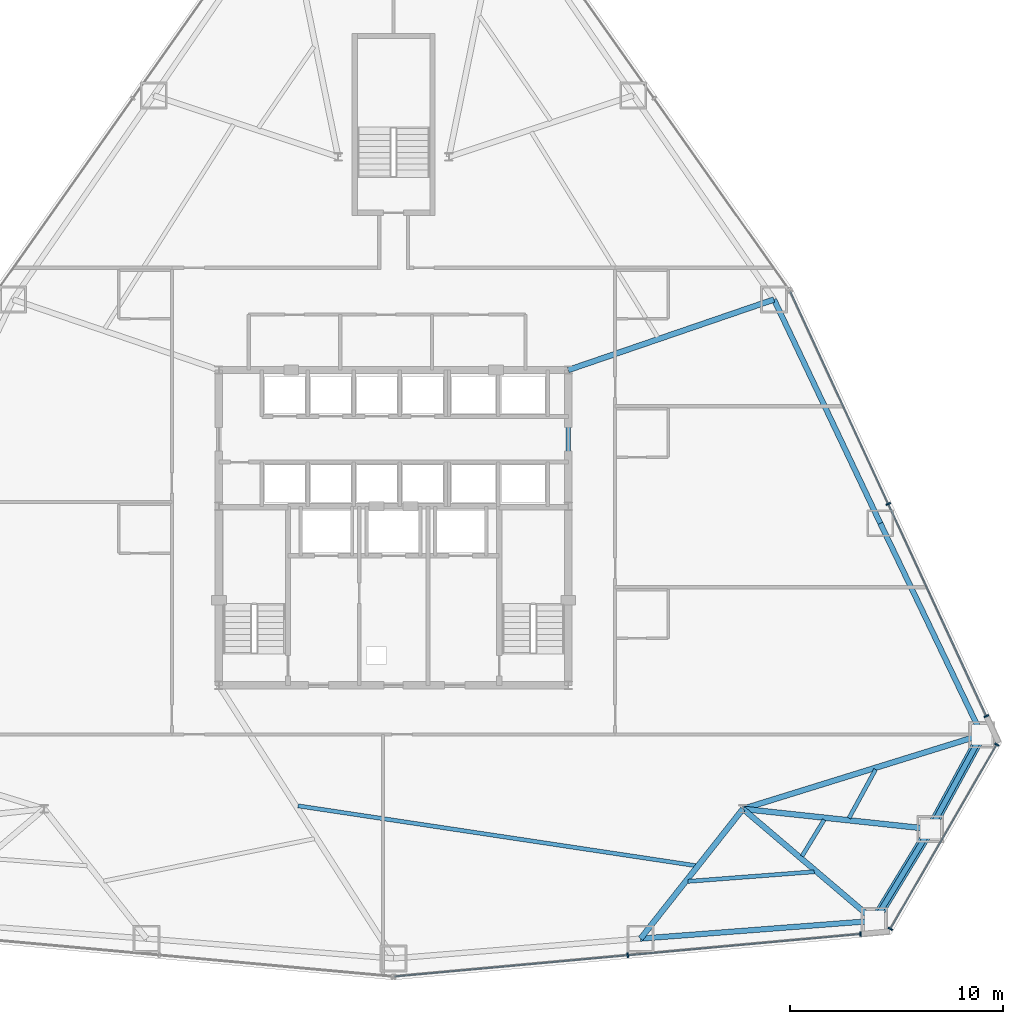
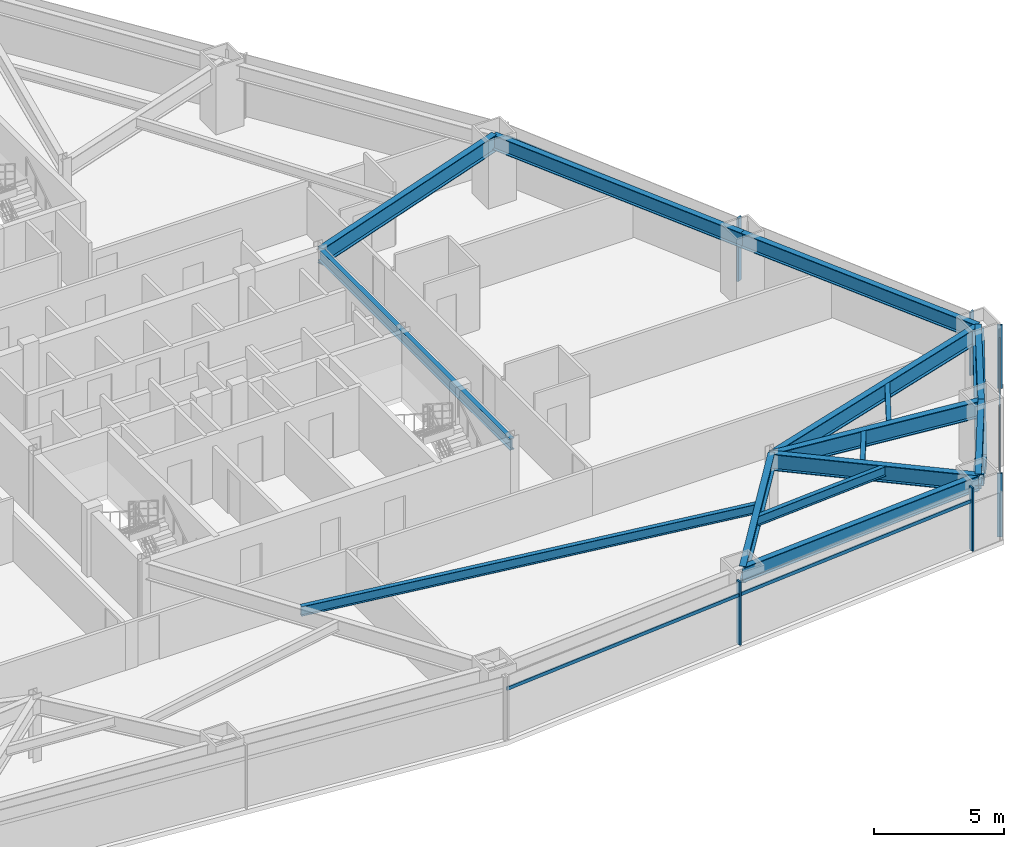
# One storey, part 6 of 12: 15 beams, 11 members, 3 elements without a shape of their own.
"""IFC4 building model written with IfcOpenShell, lengths in metres."""

from ifc_helpers import new_model, si_unit, direction, frame, origin, origin_2d, place, context, subcontext, project, spatial, rectangle, hollow_rectangle, i_section, extrude, source, transform, mapped, material, layer, layer_set, material_profile, profile_set, type_object, type_shapes, element, aggregate, save


model = new_model("IFC4")

# Units and contexts
model_context = context("Model", 3, precision=1e-05, world=origin(), true_north=direction((0.0, 1.0)))
body_context = subcontext(model_context, "Body", "Model", "MODEL_VIEW")
ifc_project = project(units=[si_unit("LENGTHUNIT", "METRE"), si_unit("AREAUNIT", "SQUARE_METRE"), si_unit("VOLUMEUNIT", "CUBIC_METRE"), si_unit("PLANEANGLEUNIT", "RADIAN"), si_unit("MASSUNIT", "GRAM", prefix="KILO")], contexts=[model_context])

# Site, building, storey
site_placement = place(None, origin())
site = spatial("IfcSite", under=ifc_project, at=site_placement, CompositionType="ELEMENT")
building_placement = place(site_placement, origin())
building = spatial("IfcBuilding", under=site, at=building_placement, Name="Varakhsha Concourse Tower", CompositionType="ELEMENT")
storey_placement = place(building_placement, frame((0.0, 0.0, 43.199951171875)))
storey = spatial("IfcBuildingStorey", under=building, at=storey_placement, Name="L11", CompositionType="ELEMENT", Elevation=43.199951171875)

# Beams
ifc_material_1 = material(Name="Structural Steel ASTM A992 Grade 50", Category="steel")
ifc_material_profile_1 = material_profile(ifc_material_1, i_section(OverallWidth=0.26611328125, OverallDepth=0.779052734375, WebThickness=0.01708984375, FlangeThickness=0.030029296875, at=origin_2d()), Name="W30X148")
ifc_profile_set_1 = profile_set([ifc_material_profile_1], Name="Structural Steel ASTM A992 Grade 50")
beam_type_1 = type_object("IfcBeamType", Name="BM-BASE-W30X148", PredefinedType="USERDEFINED", material=ifc_profile_set_1)
beam_1_placement = place(storey_placement, frame((56.39990234375, 10.60009765625, 2.590576171875), z_axis=(-0.619646329508, -0.78488115427, 0.0), x_axis=(0.78488115427, -0.619646329508, 0.0)))
element("IfcBeam", 1, at=beam_1_placement, inside=storey, type_object=beam_type_1, Name="L11 Radial Floor Girder 12", ObjectType="GIRDER", PredefinedType="USERDEFINED", context=body_context, shape_type="SweptSolid", body=[
    extrude(i_section(OverallWidth=0.26611328125, OverallDepth=0.779052734375, WebThickness=0.01708984375, FlangeThickness=0.030029296875, at=origin_2d()), origin(), (0.0, 0.0, 1.0), 7.757080078125),
])
beam_2_placement = place(storey_placement, frame((56.39990234375, 10.60009765625, 2.590576171875), z_axis=(0.761498250571, -0.648166964892, 0.0), x_axis=(0.648166964892, 0.761498250571, 0.0)))
element("IfcBeam", 2, at=beam_2_placement, inside=storey, type_object=beam_type_1, Name="L11 Radial Floor Girder 13", ObjectType="GIRDER", PredefinedType="USERDEFINED", context=body_context, shape_type="SweptSolid", body=[
    extrude(i_section(OverallWidth=0.26611328125, OverallDepth=0.779052734375, WebThickness=0.01708984375, FlangeThickness=0.030029296875, at=origin_2d()), origin(), (0.0, 0.0, 1.0), 8.10205078125),
])
beam_3_placement = place(storey_placement, frame((56.39990234375, 10.60009765625, 2.590576171875), z_axis=(0.994280497061, -0.106800248893, 0.0), x_axis=(0.106800248893, 0.994280497061, 0.0)))
element("IfcBeam", 3, at=beam_3_placement, inside=storey, type_object=beam_type_1, Name="L11 Radial Floor Girder 14", ObjectType="GIRDER", PredefinedType="USERDEFINED", context=body_context, shape_type="SweptSolid", body=[
    extrude(i_section(OverallWidth=0.26611328125, OverallDepth=0.779052734375, WebThickness=0.01708984375, FlangeThickness=0.030029296875, at=origin_2d()), origin(), (0.0, 0.0, 1.0), 8.842041015625),
])
beam_4_placement = place(storey_placement, frame((56.39990234375, 10.60009765625, 2.590576171875), z_axis=(0.955056624601, 0.2964234198, 0.0), x_axis=(-0.2964234198, 0.955056624601, 0.0)))
element("IfcBeam", 4, at=beam_4_placement, inside=storey, type_object=beam_type_1, Name="L11 Radial Floor Girder 15", ObjectType="GIRDER", PredefinedType="USERDEFINED", context=body_context, shape_type="SweptSolid", body=[
    extrude(i_section(OverallWidth=0.26611328125, OverallDepth=0.779052734375, WebThickness=0.01708984375, FlangeThickness=0.030029296875, at=origin_2d()), origin(), (0.0, 0.0, 1.0), 11.73828125),
])
beam_5_placement = place(storey_placement, frame((48.199951171875, 31.199951171875, 2.590576171875), z_axis=(0.945992273848, 0.324189169805, 0.0), x_axis=(-0.324189169805, 0.945992273848, 0.0)))
element("IfcBeam", 5, at=beam_5_placement, inside=storey, type_object=beam_type_1, Name="L11 Radial Floor Girder 17", ObjectType="GIRDER", PredefinedType="USERDEFINED", context=body_context, shape_type="SweptSolid", body=[
    extrude(i_section(OverallWidth=0.26611328125, OverallDepth=0.779052734375, WebThickness=0.01708984375, FlangeThickness=0.030029296875, at=origin_2d()), origin(), (0.0, 0.0, 1.0), 10.20654296875),
])
ifc_material_profile_2 = material_profile(ifc_material_1, i_section(OverallWidth=0.19091796875, OverallDepth=0.45703125, WebThickness=0.009033203125, FlangeThickness=0.013916015625, at=origin_2d()), Name="W18X50")
ifc_profile_set_2 = profile_set([ifc_material_profile_2], Name="Structural Steel ASTM A992 Grade 50")
beam_type_2 = type_object("IfcBeamType", Name="BM-JST-W18X50", PredefinedType="JOIST", material=ifc_profile_set_2)
beam_6_placement = place(storey_placement, frame((35.516845703125, 10.743896484375, 2.75146484375), z_axis=(0.988878100932, -0.14872828076, 0.0), x_axis=(0.14872828076, 0.988878100932, 0.0)))
element("IfcBeam", 6, at=beam_6_placement, inside=storey, type_object=beam_type_2, Name="BM-TJST-L11-11", PredefinedType="JOIST", context=body_context, shape_type="SweptSolid", body=[
    extrude(i_section(OverallWidth=0.19091796875, OverallDepth=0.45703125, WebThickness=0.009033203125, FlangeThickness=0.013916015625, at=origin_2d()), origin(), (0.0, 0.0, 1.0), 18.869384765625),
])
beam_7_placement = place(storey_placement, frame((53.81787109375, 7.198974609375, 2.75146484375), z_axis=(0.997106436116, 0.076018123203, 0.0), x_axis=(-0.076018123203, 0.997106436116, 0.0)))
element("IfcBeam", 7, at=beam_7_placement, inside=storey, type_object=beam_type_2, Name="BM-TJST-L11-12", PredefinedType="JOIST", context=body_context, shape_type="SweptSolid", body=[
    extrude(i_section(OverallWidth=0.19091796875, OverallDepth=0.45703125, WebThickness=0.009033203125, FlangeThickness=0.013916015625, at=origin_2d()), origin(), (0.0, 0.0, 1.0), 5.944580078125),
])
beam_8_placement = place(storey_placement, frame((59.171875, 8.38330078125, 2.75146484375), z_axis=(0.519892692072, 0.854231577928, 0.0), x_axis=(-0.854231577928, 0.519892692072, 0.0)))
element("IfcBeam", 8, at=beam_8_placement, inside=storey, type_object=beam_type_2, Name="BM-TJST-L11-13", PredefinedType="JOIST", context=body_context, shape_type="SweptSolid", body=[
    extrude(i_section(OverallWidth=0.19091796875, OverallDepth=0.45703125, WebThickness=0.009033203125, FlangeThickness=0.013916015625, at=origin_2d()), origin(), (0.0, 0.0, 1.0), 1.99853515625),
])
beam_9_placement = place(storey_placement, frame((61.3759765625, 10.167724609375, 2.75146484375), z_axis=(0.479732261901, 0.877414928578, 0.0), x_axis=(-0.877414928578, 0.479732261901, 0.0)))
element("IfcBeam", 9, at=beam_9_placement, inside=storey, type_object=beam_type_2, Name="BM-TJST-L11-14", PredefinedType="JOIST", context=body_context, shape_type="SweptSolid", body=[
    extrude(i_section(OverallWidth=0.19091796875, OverallDepth=0.45703125, WebThickness=0.009033203125, FlangeThickness=0.013916015625, at=origin_2d()), origin(), (0.0, 0.0, 1.0), 2.603515625),
])
ifc_material_profile_3 = material_profile(ifc_material_1, i_section(OverallWidth=0.2109375, OverallDepth=0.5390625, WebThickness=0.011962890625, FlangeThickness=0.01904296875, at=origin_2d()), Name="W21X73")
ifc_profile_set_3 = profile_set([ifc_material_profile_3], Name="Structural Steel ASTM A992 Grade 50")
beam_type_3 = type_object("IfcBeamType", Name="BM-RAD-W21X73", PredefinedType="BEAM", material=ifc_profile_set_3)
beam_10_placement = place(storey_placement, frame((48.199951171875, 16.39990234375, 2.71044921875), z_axis=(0.0, 1.0, 0.0), x_axis=(-1.0, 0.0, 0.0)))
element("IfcBeam", 10, at=beam_10_placement, inside=storey, type_object=beam_type_3, Name="BM-TCORE-L11-CE", PredefinedType="BEAM", context=body_context, shape_type="SweptSolid", body=[
    extrude(i_section(OverallWidth=0.2109375, OverallDepth=0.5390625, WebThickness=0.011962890625, FlangeThickness=0.01904296875, at=origin_2d()), origin(), (0.0, 0.0, 1.0), 14.800048828125),
])
ifc_material_profile_4 = material_profile(ifc_material_1, i_section(OverallWidth=0.25390625, OverallDepth=0.701904296875, WebThickness=0.014892578125, FlangeThickness=0.028076171875, at=origin_2d()), Name="W27X129")
ifc_profile_set_4 = profile_set([ifc_material_profile_4], Name="Structural Steel ASTM A992 Grade 50")
beam_type_4 = type_object("IfcBeamType", Name="BM-SPAN-W27X129", PredefinedType="SPANDREL", material=ifc_profile_set_4)
beam_11_placement = place(storey_placement, frame((51.59326171875, 4.51171875, 2.629150390625), z_axis=(0.997105791948, 0.076026572094, 0.0), x_axis=(-0.076026572094, 0.997105791948, 0.0)))
element("IfcBeam", 11, at=beam_11_placement, inside=storey, type_object=beam_type_4, Name="BM-SPAN-L11-12", PredefinedType="SPANDREL", context=body_context, shape_type="SweptSolid", body=[
    extrude(i_section(OverallWidth=0.25390625, OverallDepth=0.701904296875, WebThickness=0.014892578125, FlangeThickness=0.028076171875, at=origin_2d()), origin(), (0.0, 0.0, 1.0), 11.008056640625),
])
beam_12_placement = place(storey_placement, frame((62.569580078125, 5.3486328125, 2.629150390625), z_axis=(0.519960770998, 0.85419014079, 0.0), x_axis=(-0.85419014079, 0.519960770998, 0.0)))
element("IfcBeam", 12, at=beam_12_placement, inside=storey, type_object=beam_type_4, Name="BM-SPAN-L11-13", PredefinedType="SPANDREL", context=body_context, shape_type="SweptSolid", body=[
    extrude(i_section(OverallWidth=0.25390625, OverallDepth=0.701904296875, WebThickness=0.014892578125, FlangeThickness=0.028076171875, at=origin_2d()), origin(), (0.0, 0.0, 1.0), 5.042236328125),
])
beam_13_placement = place(storey_placement, frame((65.19140625, 9.65576171875, 2.629150390625), z_axis=(0.479798364466, 0.87737878334, 0.0), x_axis=(-0.87737878334, 0.479798364466, 0.0)))
element("IfcBeam", 13, at=beam_13_placement, inside=storey, type_object=beam_type_4, Name="BM-SPAN-L11-14", PredefinedType="SPANDREL", context=body_context, shape_type="SweptSolid", body=[
    extrude(i_section(OverallWidth=0.25390625, OverallDepth=0.701904296875, WebThickness=0.014892578125, FlangeThickness=0.028076171875, at=origin_2d()), origin(), (0.0, 0.0, 1.0), 5.0419921875),
])
beam_14_placement = place(storey_placement, frame((67.610595703125, 14.07958984375, 2.629150390625), z_axis=(-0.432704390999, 0.901535861744, 0.0), x_axis=(-0.901535861744, -0.432704390999, 0.0)))
element("IfcBeam", 14, at=beam_14_placement, inside=storey, type_object=beam_type_4, Name="BM-SPAN-L11-15", PredefinedType="SPANDREL", context=body_context, shape_type="SweptSolid", body=[
    extrude(i_section(OverallWidth=0.25390625, OverallDepth=0.701904296875, WebThickness=0.014892578125, FlangeThickness=0.028076171875, at=origin_2d()), origin(), (0.0, 0.0, 1.0), 11.008544921875),
])
beam_15_placement = place(storey_placement, frame((62.84716796875, 24.004150390625, 2.629150390625), z_axis=(-0.429213950227, 0.903202848164, 0.0), x_axis=(-0.903202848164, -0.429213950227, 0.0)))
element("IfcBeam", 15, at=beam_15_placement, inside=storey, type_object=beam_type_4, Name="BM-SPAN-L11-16", PredefinedType="SPANDREL", context=body_context, shape_type="SweptSolid", body=[
    extrude(i_section(OverallWidth=0.25390625, OverallDepth=0.701904296875, WebThickness=0.014892578125, FlangeThickness=0.028076171875, at=origin_2d()), origin(), (0.0, 0.0, 1.0), 11.63037109375),
])

# Members
ifc_material_2 = material(Name="Structural Steel ASTM A500 Grade C", Category="steel")
ifc_material_profile_5 = material_profile(ifc_material_2, hollow_rectangle(XDim=0.449951171875, YDim=0.449951171875, WallThickness=0.01904296875, at=origin_2d()), Name="HSS 450x450x19")
ifc_profile_set_5 = profile_set([ifc_material_profile_5], Name="Structural Steel ASTM A500 Grade C")
member_type_1 = type_object("IfcMemberType", Name="MB-TUBE-HSS450", PredefinedType="BRACE", material=ifc_profile_set_5)
shared_shape_1 = source(origin(), body_context, "Body", "SweptSolid", [
    extrude(hollow_rectangle(XDim=0.449951171875, YDim=0.449951171875, WallThickness=0.01904296875, at=origin_2d()), origin(), (0.0, 0.0, 1.0), 5.65478515625),
])
member_1_placement = place(storey_placement, frame((65.19140625, 9.65576171875, 0.1201171875), z_axis=(0.427820906288, 0.782330691487, 0.452689696481), x_axis=(-0.87737878334, 0.479798364466, 0.0)))
element("IfcMember", 16, at=member_1_placement, inside=storey, type_object=member_type_1, Name="L11 Wind-Corner Tube Brace B06", PredefinedType="BRACE", context=body_context, shape_type="MappedRepresentation", body=[
    mapped(shared_shape_1, transform((0.0, 0.0, 0.0), scale=1.0)),
])
shared_shape_2 = source(origin(), body_context, "Body", "SweptSolid", [
    extrude(hollow_rectangle(XDim=0.449951171875, YDim=0.449951171875, WallThickness=0.01904296875, at=origin_2d()), origin(), (0.0, 0.0, 1.0), 5.655029296875),
])
type_shapes(member_type_1, [shared_shape_1, shared_shape_2])
member_2_placement = place(storey_placement, frame((65.19140625, 9.65576171875, 0.1201171875), z_axis=(-0.463637300017, -0.761662095809, 0.452671299998), x_axis=(0.85419014079, -0.519960770998, 0.0)))
element("IfcMember", 17, at=member_2_placement, inside=storey, type_object=member_type_1, Name="L11 Wind-Corner Tube Brace B05", PredefinedType="BRACE", context=body_context, shape_type="MappedRepresentation", body=[
    mapped(shared_shape_2, transform((0.0, 0.0, 0.0), scale=1.0)),
])

# Curtain wall, members
ifc_material_3 = material(Name="Anodised Bronze Architectural Aluminium AA 6063-T6", Category="aluminium")
ifc_layer = layer(ifc_material_3, 0.219970703125, Name="CW-SYS-02")
ifc_layer_set = layer_set([ifc_layer], Name="Anodised Bronze Architectural Aluminium AA 6063-T6")
curtain_wall_type = type_object("IfcCurtainWallType", Name="CW-SYS-02", PredefinedType="NOTDEFINED", material=ifc_layer_set)
curtain_wall_1_placement = place(storey_placement, origin())
curtain_wall_1 = element("IfcCurtainWall", 18, at=curtain_wall_1_placement, inside=storey, type_object=curtain_wall_type, Name="L11 Crystal Curtain Wall F6", PredefinedType="NOTDEFINED")
ifc_material_profile_6 = material_profile(ifc_material_3, rectangle(XDim=0.074951171875, YDim=0.219970703125, at=origin_2d()), Name="CWM-220X75")
ifc_profile_set_6 = profile_set([ifc_material_profile_6], Name="Anodised Bronze Architectural Aluminium AA 6063-T6")
member_type_2 = type_object("IfcMemberType", Name="CWM-220X75", PredefinedType="MULLION", material=ifc_profile_set_6)
shared_shape_3 = source(origin(), body_context, "Body", "SweptSolid", [
    extrude(rectangle(XDim=0.074951171875, YDim=0.219970703125, at=origin_2d()), origin(), (0.0, 0.0, 1.0), 2.97998046875),
])
type_shapes(member_type_2, [shared_shape_3])
member_3_placement = place(storey_placement, frame((61.917724609375, 4.73046875, 0.0), z_axis=(0.0, 0.0, 1.0), x_axis=(-0.995866028897, -0.090834203295, 0.0)))
member_3 = element("IfcMember", 19, at=member_3_placement, type_object=member_type_2, Name="CW-L11-F6 Mullion 00", PredefinedType="MULLION", context=body_context, shape_type="MappedRepresentation", body=[
    mapped(shared_shape_3, transform((0.0, 0.0, 0.0), scale=1.0)),
])
member_4_placement = place(storey_placement, frame((50.991455078125, 3.73388671875, 0.0), z_axis=(0.0, 0.0, 1.0), x_axis=(-0.995866028897, -0.090834203295, 0.0)))
member_4 = element("IfcMember", 20, at=member_4_placement, type_object=member_type_2, Name="CW-L11-F6 Mullion 01", PredefinedType="MULLION", context=body_context, shape_type="MappedRepresentation", body=[
    mapped(shared_shape_3, transform((0.0, 0.0, 0.0), scale=1.0)),
])

curtain_wall_2_placement = place(storey_placement, origin())
curtain_wall_2 = element("IfcCurtainWall", 21, at=curtain_wall_2_placement, inside=storey, type_object=curtain_wall_type, Name="L11 Chamfer Curtain Wall F7", PredefinedType="NOTDEFINED")
member_5_placement = place(storey_placement, frame((68.31201171875, 13.620849609375, 0.0), z_axis=(0.0, 0.0, 1.0), x_axis=(-0.4999984885, -0.866026276448, 0.0)))
member_5 = element("IfcMember", 22, at=member_5_placement, type_object=member_type_2, Name="CW-L11-F7 Mullion 00", PredefinedType="MULLION", context=body_context, shape_type="MappedRepresentation", body=[
    mapped(shared_shape_3, transform((0.0, 0.0, 0.0), scale=1.0)),
])
member_6_placement = place(storey_placement, frame((63.31787109375, 4.970458984375, 0.0), z_axis=(0.0, 0.0, 1.0), x_axis=(-0.4999984885, -0.866026276448, 0.0)))
member_6 = element("IfcMember", 23, at=member_6_placement, type_object=member_type_2, Name="CW-L11-F7 Mullion 01", PredefinedType="MULLION", context=body_context, shape_type="MappedRepresentation", body=[
    mapped(shared_shape_3, transform((0.0, 0.0, 0.0), scale=1.0)),
])

curtain_wall_3_placement = place(storey_placement, origin())
curtain_wall_3 = element("IfcCurtainWall", 24, at=curtain_wall_3_placement, inside=storey, type_object=curtain_wall_type, Name="L11 Crystal Curtain Wall F8", PredefinedType="NOTDEFINED")
member_7_placement = place(storey_placement, frame((63.219970703125, 24.914306640625, 0.0), z_axis=(0.0, 0.0, 1.0), x_axis=(0.419269871381, -0.907861649676, 0.0)))
member_7 = element("IfcMember", 25, at=member_7_placement, type_object=member_type_2, Name="CW-L11-F8 Mullion 01", PredefinedType="MULLION", context=body_context, shape_type="MappedRepresentation", body=[
    mapped(shared_shape_3, transform((0.0, 0.0, 0.0), scale=1.0)),
])
member_8_placement = place(storey_placement, frame((67.820068359375, 14.953369140625, 0.0), z_axis=(0.0, 0.0, 1.0), x_axis=(0.419269871381, -0.907861649676, 0.0)))
member_8 = element("IfcMember", 26, at=member_8_placement, type_object=member_type_2, Name="CW-L11-F8 Mullion 02", PredefinedType="MULLION", context=body_context, shape_type="MappedRepresentation", body=[
    mapped(shared_shape_3, transform((0.0, 0.0, 0.0), scale=1.0)),
])

# Member
ifc_material_profile_7 = material_profile(ifc_material_3, rectangle(XDim=0.06494140625, YDim=0.159912109375, at=origin_2d()), Name="CWT-160X65")
ifc_profile_set_7 = profile_set([ifc_material_profile_7], Name="Anodised Bronze Architectural Aluminium AA 6063-T6")
member_type_3 = type_object("IfcMemberType", Name="CWT-160X65", PredefinedType="USERDEFINED", material=ifc_profile_set_7)
shared_shape_4 = source(origin(), body_context, "Body", "SweptSolid", [
    extrude(rectangle(XDim=0.06494140625, YDim=0.159912109375, at=origin_2d()), origin(), (0.0, 0.0, 1.0), 21.943359375),
])
member_9_placement = place(storey_placement, frame((61.917724609375, 4.73046875, 2.330078125), z_axis=(-0.995866167966, -0.09083267859, 0.0), x_axis=(0.09083267859, -0.995866167966, 0.0)))
member_9 = element("IfcMember", 27, at=member_9_placement, type_object=member_type_3, Name="CW-L11-F6 Transom 01", ObjectType="TRANSOM", PredefinedType="USERDEFINED", context=body_context, shape_type="MappedRepresentation", body=[
    mapped(shared_shape_4, transform((0.0, 0.0, 0.0), scale=1.0)),
])

aggregate(curtain_wall_1, [member_3, member_4, member_9])

member_10_placement = place(storey_placement, frame((58.619873046875, 34.875, 2.330078125), z_axis=(0.419268418601, -0.907862320599, 0.0), x_axis=(0.907862320599, 0.419268418601, 0.0)))
member_10 = element("IfcMember", 28, at=member_10_placement, type_object=member_type_3, Name="CW-L11-F8 Transom 01", ObjectType="TRANSOM", PredefinedType="USERDEFINED", context=body_context, shape_type="MappedRepresentation", body=[
    mapped(shared_shape_4, transform((0.0, 0.0, 0.0), scale=1.0)),
])

aggregate(curtain_wall_3, [member_7, member_8, member_10])

shared_shape_5 = source(origin(), body_context, "Body", "SweptSolid", [
    extrude(rectangle(XDim=0.06494140625, YDim=0.159912109375, at=origin_2d()), origin(), (0.0, 0.0, 1.0), 9.988525390625),
])
type_shapes(member_type_3, [shared_shape_4, shared_shape_5])
member_11_placement = place(storey_placement, frame((68.31201171875, 13.620849609375, 2.330078125), z_axis=(-0.499987630939, -0.866032544947, 0.0), x_axis=(0.866032544947, -0.499987630939, 0.0)))
member_11 = element("IfcMember", 29, at=member_11_placement, type_object=member_type_3, Name="CW-L11-F7 Transom 01", ObjectType="TRANSOM", PredefinedType="USERDEFINED", context=body_context, shape_type="MappedRepresentation", body=[
    mapped(shared_shape_5, transform((0.0, 0.0, 0.0), scale=1.0)),
])

aggregate(curtain_wall_2, [member_5, member_6, member_11])

save(model, "model.ifc")
